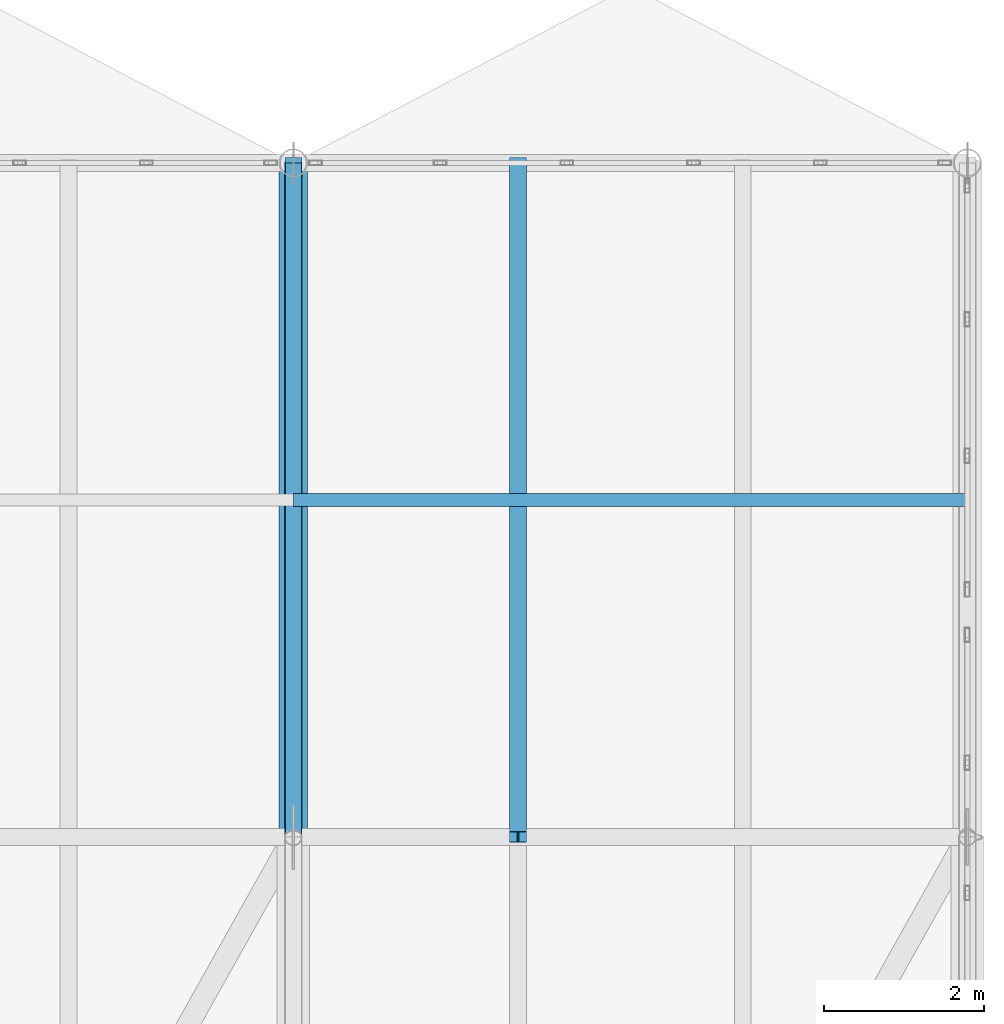
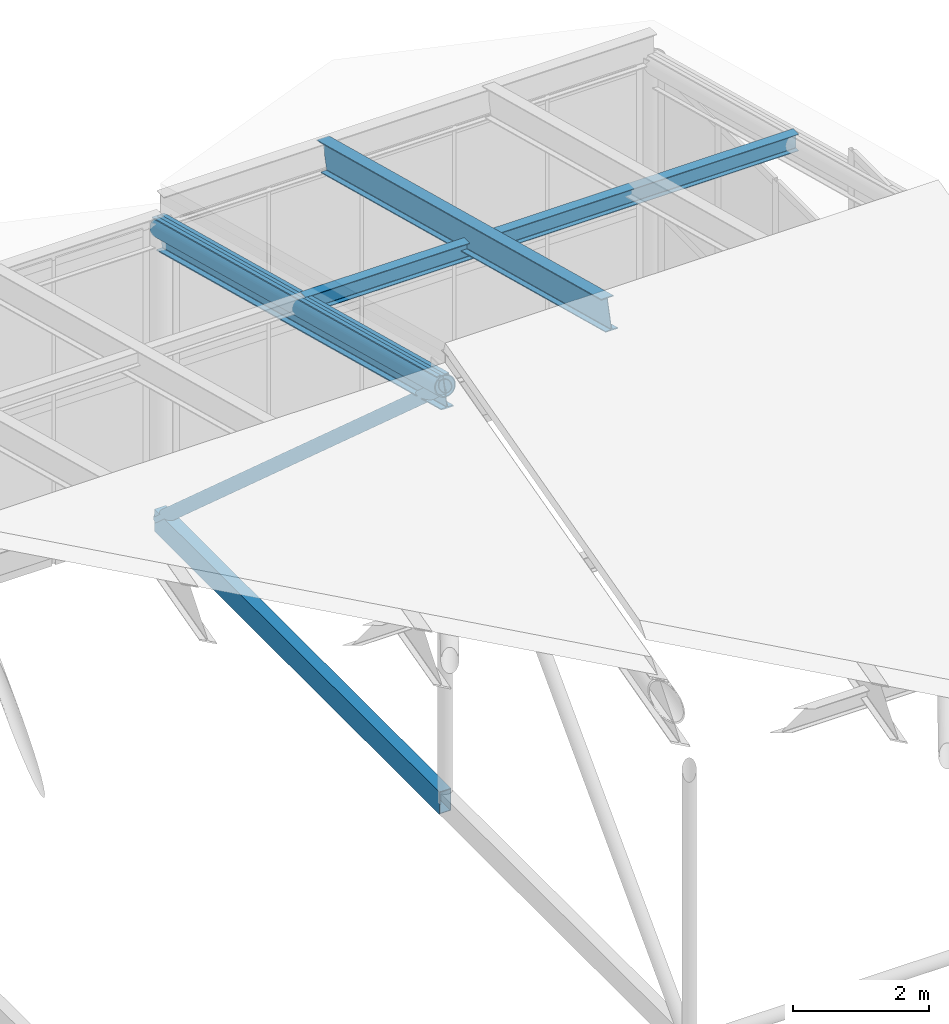
# One storey, part 33 of 43: 4 members, 2 beams.
"""IFC4 building model written with IfcOpenShell, lengths in metres."""

from ifc_helpers import new_model, si_unit, direction, frame, origin, origin_2d, place, context, subcontext, project, spatial, hollow_rectangle, hollow_circle, i_section, extrude, material, material_profile, profile_set, type_object, element, save


model = new_model("IFC4")

# Units and contexts
model_context = context("Model", 3, precision=1e-05, world=origin(), true_north=direction((0.0, 1.0)))
body_context = subcontext(model_context, "Body", "Model", "MODEL_VIEW")
ifc_project = project(units=[si_unit("LENGTHUNIT", "METRE"), si_unit("AREAUNIT", "SQUARE_METRE"), si_unit("VOLUMEUNIT", "CUBIC_METRE"), si_unit("PLANEANGLEUNIT", "RADIAN"), si_unit("MASSUNIT", "GRAM", prefix="KILO")], contexts=[model_context])

# Site, building, storey
site_placement = place(None, origin())
site = spatial("IfcSite", under=ifc_project, at=site_placement, CompositionType="ELEMENT")
building_placement = place(site_placement, origin())
building = spatial("IfcBuilding", under=site, at=building_placement, Name="Selat Folded Stagehouse", CompositionType="ELEMENT")
storey_placement = place(building_placement, frame((0.0, 0.0, 32.39990234375)))
storey = spatial("IfcBuildingStorey", under=building, at=storey_placement, Name="RF", CompositionType="ELEMENT", Elevation=32.39990234375)

# Beams
ifc_material = material(Name="Steel S355", Category="steel")
ifc_material_profile_1 = material_profile(ifc_material, i_section(OverallWidth=0.210693359375, OverallDepth=0.53955078125, WebThickness=0.01171875, FlangeThickness=0.018798828125, FilletRadius=0.0126953125, at=origin_2d()), Name="UKB 533x210x109")
ifc_profile_set_1 = profile_set([ifc_material_profile_1], Name="Steel S355")
beam_type_1 = type_object("IfcBeamType", Name="BM-GIRD-533x210x109", PredefinedType="BEAM", material=ifc_profile_set_1)
beam_1_placement = place(storey_placement, frame((58.800048828125, 46.199951171875, 7.529296875), z_axis=(0.0, 0.966800633411, -0.25553186736), x_axis=(-1.0, 0.0, 0.0)))
element("IfcBeam", 1, at=beam_1_placement, inside=storey, type_object=beam_type_1, Name="RF primary north rafter beam 7", PredefinedType="BEAM", context=body_context, shape_type="SweptSolid", body=[
    extrude(i_section(OverallWidth=0.210693359375, OverallDepth=0.53955078125, WebThickness=0.01171875, FlangeThickness=0.018798828125, FilletRadius=0.0126953125, at=origin_2d()), origin(), (0.0, 0.0, 1.0), 8.688720703125),
])
ifc_material_profile_2 = material_profile(ifc_material, i_section(OverallWidth=0.209228515625, OverallDepth=0.533203125, WebThickness=0.010009765625, FlangeThickness=0.015625, FilletRadius=0.0126953125, at=origin_2d()), Name="UKB 533x210x92")
ifc_profile_set_2 = profile_set([ifc_material_profile_2], Name="Steel S355")
beam_type_2 = type_object("IfcBeamType", Name="BM-GIRD-533x210x92", PredefinedType="BEAM", material=ifc_profile_set_2)
beam_2_placement = place(storey_placement, frame((61.60009765625, 46.199951171875, 7.943359375), z_axis=(0.0, 0.966807574904, -0.255505602889), x_axis=(-1.0, 0.0, 0.0)))
element("IfcBeam", 2, at=beam_2_placement, inside=storey, type_object=beam_type_2, Name="RF bay 7 W north sub-rafter", PredefinedType="BEAM", context=body_context, shape_type="SweptSolid", body=[
    extrude(i_section(OverallWidth=0.209228515625, OverallDepth=0.533203125, WebThickness=0.010009765625, FlangeThickness=0.015625, FilletRadius=0.0126953125, at=origin_2d()), origin(), (0.0, 0.0, 1.0), 8.6884765625),
])

# Members
ifc_material_profile_3 = material_profile(ifc_material, hollow_circle(Radius=0.109619140625, WallThickness=0.010009765625, at=origin_2d()), Name="CHS 219.1x10.0")
ifc_profile_set_3 = profile_set([ifc_material_profile_3], Name="Steel S355")
member_type_1 = type_object("IfcMemberType", Name="MEM-BRACE-CHS219", PredefinedType="BRACE", material=ifc_profile_set_3)
member_1_placement = place(storey_placement, frame((58.800048828125, 46.199951171875, 7.6279296875), z_axis=(0.0, 0.746924046978, -0.664909368294), x_axis=(-1.0, 0.0, 0.0)))
element("IfcMember", 3, at=member_1_placement, inside=storey, type_object=member_type_1, Name="Folded-plate web diagonal 7.4", PredefinedType="BRACE", context=body_context, shape_type="SweptSolid", body=[
    extrude(hollow_circle(Radius=0.109619140625, WallThickness=0.010009765625, at=origin_2d()), origin(), (0.0, 0.0, 1.0), 11.246337890625),
])
ifc_material_profile_4 = material_profile(ifc_material, hollow_circle(Radius=0.177734375, WallThickness=0.01611328125, at=origin_2d()), Name="CHS 355.6x16.0")
ifc_profile_set_4 = profile_set([ifc_material_profile_4], Name="Steel S355")
member_type_2 = type_object("IfcMemberType", Name="MEM-CHORD-CHS355", PredefinedType="CHORD", material=ifc_profile_set_4)
member_2_placement = place(storey_placement, frame((58.800048828125, 46.199951171875, 7.6279296875), z_axis=(0.0, 0.966807574904, -0.255505602889), x_axis=(-1.0, 0.0, 0.0)))
element("IfcMember", 4, at=member_2_placement, inside=storey, type_object=member_type_2, Name="Folded-plate top chord 7.4", PredefinedType="CHORD", context=body_context, shape_type="SweptSolid", body=[
    extrude(hollow_circle(Radius=0.177734375, WallThickness=0.01611328125, at=origin_2d()), origin(), (0.0, 0.0, 1.0), 8.6884765625),
])
ifc_material_profile_5 = material_profile(ifc_material, hollow_rectangle(XDim=0.199951171875, YDim=0.39990234375, WallThickness=0.012451171875, at=origin_2d()), Name="RHS 400x200x12.5")
ifc_profile_set_5 = profile_set([ifc_material_profile_5], Name="Steel S355")
member_type_3 = type_object("IfcMemberType", Name="MEM-CHORD-RHS400", PredefinedType="CHORD", material=ifc_profile_set_5)
member_3_placement = place(storey_placement, frame((58.800048828125, 46.199951171875, 0.150146484375), z_axis=(0.0, 1.0, 0.0), x_axis=(-1.0, 0.0, 0.0)))
element("IfcMember", 5, at=member_3_placement, inside=storey, type_object=member_type_3, Name="Folded-plate bottom tie 7.4", PredefinedType="CHORD", context=body_context, shape_type="SweptSolid", body=[
    extrude(hollow_rectangle(XDim=0.199951171875, YDim=0.39990234375, WallThickness=0.012451171875, at=origin_2d()), origin(), (0.0, 0.0, 1.0), 8.400146484375),
])
ifc_material_profile_6 = material_profile(ifc_material, i_section(OverallWidth=0.1650390625, OverallDepth=0.303466796875, WebThickness=0.006103515625, FlangeThickness=0.01025390625, FilletRadius=0.0087890625, at=origin_2d()), Name="UKB 305x165x40")
ifc_profile_set_6 = profile_set([ifc_material_profile_6], Name="Steel S355")
member_type_4 = type_object("IfcMemberType", Name="MEM-PURLIN-UKB305", PredefinedType="PURLIN", material=ifc_profile_set_6)
member_4_placement = place(storey_placement, frame((58.800048828125, 50.39990234375, 6.5712890625), z_axis=(1.0, 0.0, 0.0), x_axis=(0.0, 1.0, 0.0)))
element("IfcMember", 6, at=member_4_placement, inside=storey, type_object=member_type_4, Name="Folded-plate roof purlin bay 7.5", PredefinedType="PURLIN", context=body_context, shape_type="SweptSolid", body=[
    extrude(i_section(OverallWidth=0.1650390625, OverallDepth=0.303466796875, WebThickness=0.006103515625, FlangeThickness=0.01025390625, FilletRadius=0.0087890625, at=origin_2d()), origin(), (0.0, 0.0, 1.0), 8.39990234375),
])

save(model, "model.ifc")
